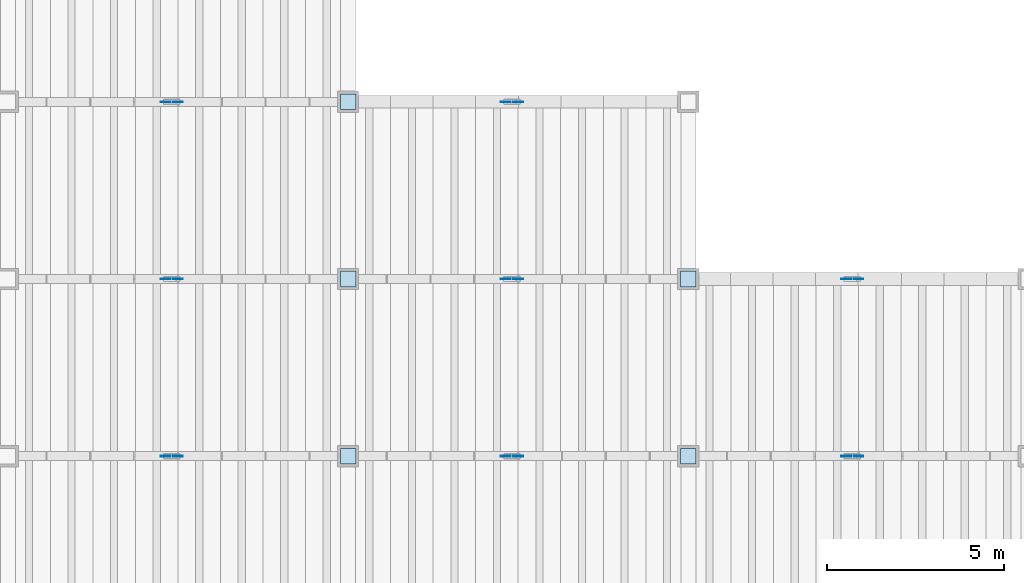
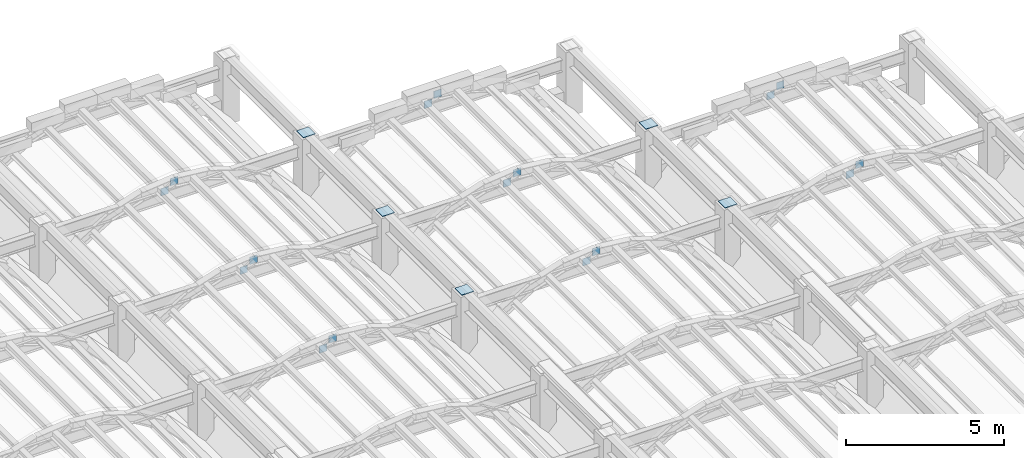
# One storey, part 65 of 70: 21 plates.
"""IFC4 building model written with IfcOpenShell, lengths in metres."""

from ifc_helpers import new_model, si_unit, direction, frame, origin, origin_2d, place, context, subcontext, project, spatial, rectangle, extrude, material, layer, layer_set, type_object, element, save


model = new_model("IFC4")

# Units and contexts
model_context = context("Model", 3, precision=1e-05, world=origin(), true_north=direction((0.0, 1.0)))
body_context = subcontext(model_context, "Body", "Model", "MODEL_VIEW")
ifc_project = project(units=[si_unit("LENGTHUNIT", "METRE"), si_unit("AREAUNIT", "SQUARE_METRE"), si_unit("VOLUMEUNIT", "CUBIC_METRE"), si_unit("PLANEANGLEUNIT", "RADIAN"), si_unit("MASSUNIT", "GRAM", prefix="KILO")], contexts=[model_context])

# Site, building, storey
site_placement = place(None, origin())
site = spatial("IfcSite", under=ifc_project, at=site_placement, CompositionType="ELEMENT")
building_placement = place(site_placement, origin())
building = spatial("IfcBuilding", under=site, at=building_placement, Name="Mavantir Sound Aquarium", CompositionType="ELEMENT")
storey_placement = place(building_placement, frame((0.0, 0.0, 27.0)))
storey = spatial("IfcBuildingStorey", under=building, at=storey_placement, Name="RF", CompositionType="ELEMENT", Elevation=27.0)

# Plates
ifc_material = material(Name="Structural Steel ASTM A572 Gr50", Category="steel")
ifc_layer_1 = layer(ifc_material, 0.02001953125, Name="Structural Steel ASTM A572 Gr50")
ifc_layer_set_1 = layer_set([ifc_layer_1], Name="Structural Steel ASTM A572 Gr50")
plate_type_1 = type_object("IfcPlateType", Name="PLT-ENDCAP-20", PredefinedType="SHEET", material=ifc_layer_set_1)
for number, where, z_axis, x_axis, name in (
    (1, (136.800048828125, 65.800048828125, -4.699951171875), (0.0, 0.0, 1.0), (1.0, 0.0, 0.0), "Ridge column cap plate 4.66"),
    (2, (136.800048828125, 70.800048828125, -4.699951171875), (0.0, 0.0, 1.0), (1.0, 0.0, 0.0), "Ridge column cap plate 4.71"),
    (3, (136.800048828125, 75.800048828125, -4.699951171875), (0.0, 0.0, 1.0), (1.0, 0.0, 0.0), "Ridge column cap plate 4.76"),
    (4, (146.39990234375, 65.800048828125, -4.699951171875), (0.0, 0.0, 1.0), (1.0, 0.0, 0.0), "Ridge column cap plate 5.66"),
    (5, (146.39990234375, 70.800048828125, -4.699951171875), (0.0, 0.0, 1.0), (1.0, 0.0, 0.0), "Ridge column cap plate 5.71"),
):
    element("IfcPlate", number, at=place(storey_placement, frame(where, z_axis=z_axis, x_axis=x_axis)), inside=storey, type_object=plate_type_1, Name=name, PredefinedType="SHEET", context=body_context, shape_type="SweptSolid", body=[
        extrude(rectangle(XDim=0.43994140625, YDim=0.43994140625, at=origin_2d()), origin(), (0.0, 0.0, 1.0), 0.02001953125),
    ])
ifc_layer_2 = layer(ifc_material, 0.01611328125, Name="Structural Steel ASTM A572 Gr50")
ifc_layer_set_2 = layer_set([ifc_layer_2], Name="Structural Steel ASTM A572 Gr50")
plate_type_2 = type_object("IfcPlateType", Name="PLT-GUSSET-16", PredefinedType="SHEET", material=ifc_layer_set_2)
for number, where, z_axis, x_axis, name in (
    (6, (131.64990234375, 65.800048828125, -5.283203125), (0.0, 0.0, 1.0), (1.0, 0.0, 0.0), "Brace end gusset plate GP-01 117"),
    (7, (132.0, 65.800048828125, -5.0166015625), (0.0, 0.0, 1.0), (1.0, 0.0, 0.0), "Brace end gusset plate GP-01 118"),
    (8, (131.64990234375, 70.800048828125, -5.283203125), (0.0, 0.0, 1.0), (1.0, 0.0, 0.0), "Brace end gusset plate GP-01 119"),
    (9, (132.0, 70.800048828125, -5.0166015625), (0.0, 0.0, 1.0), (1.0, 0.0, 0.0), "Brace end gusset plate GP-01 120"),
    (10, (131.64990234375, 75.800048828125, -5.283203125), (0.0, 0.0, 1.0), (1.0, 0.0, 0.0), "Brace end gusset plate GP-01 121"),
    (11, (132.0, 75.800048828125, -5.0166015625), (0.0, 0.0, 1.0), (1.0, 0.0, 0.0), "Brace end gusset plate GP-01 122"),
    (12, (141.25, 65.800048828125, -5.283203125), (0.0, 0.0, 1.0), (1.0, 0.0, 0.0), "Brace end gusset plate GP-01 133"),
    (13, (141.60009765625, 65.800048828125, -5.0166015625), (0.0, 0.0, 1.0), (1.0, 0.0, 0.0), "Brace end gusset plate GP-01 134"),
    (14, (141.25, 70.800048828125, -5.283203125), (0.0, 0.0, 1.0), (1.0, 0.0, 0.0), "Brace end gusset plate GP-01 135"),
    (15, (141.60009765625, 70.800048828125, -5.0166015625), (0.0, 0.0, 1.0), (1.0, 0.0, 0.0), "Brace end gusset plate GP-01 136"),
    (16, (141.25, 75.800048828125, -5.283203125), (0.0, 0.0, 1.0), (1.0, 0.0, 0.0), "Brace end gusset plate GP-01 137"),
    (17, (141.60009765625, 75.800048828125, -5.0166015625), (0.0, 0.0, 1.0), (1.0, 0.0, 0.0), "Brace end gusset plate GP-01 138"),
    (18, (150.85009765625, 65.800048828125, -5.283203125), (0.0, 0.0, 1.0), (1.0, 0.0, 0.0), "Brace end gusset plate GP-01 147"),
    (19, (151.199951171875, 65.800048828125, -5.0166015625), (0.0, 0.0, 1.0), (1.0, 0.0, 0.0), "Brace end gusset plate GP-01 148"),
    (20, (150.85009765625, 70.800048828125, -5.283203125), (0.0, 0.0, 1.0), (1.0, 0.0, 0.0), "Brace end gusset plate GP-01 149"),
    (21, (151.199951171875, 70.800048828125, -5.0166015625), (0.0, 0.0, 1.0), (1.0, 0.0, 0.0), "Brace end gusset plate GP-01 150"),
):
    element("IfcPlate", number, at=place(storey_placement, frame(where, z_axis=z_axis, x_axis=x_axis)), inside=storey, type_object=plate_type_2, Name=name, PredefinedType="SHEET", context=body_context, shape_type="SweptSolid", body=[
        extrude(rectangle(XDim=0.280029296875, YDim=0.01611328125, at=origin_2d()), origin(), (0.0, 0.0, 1.0), 0.280029296875),
    ])

save(model, "model.ifc")
